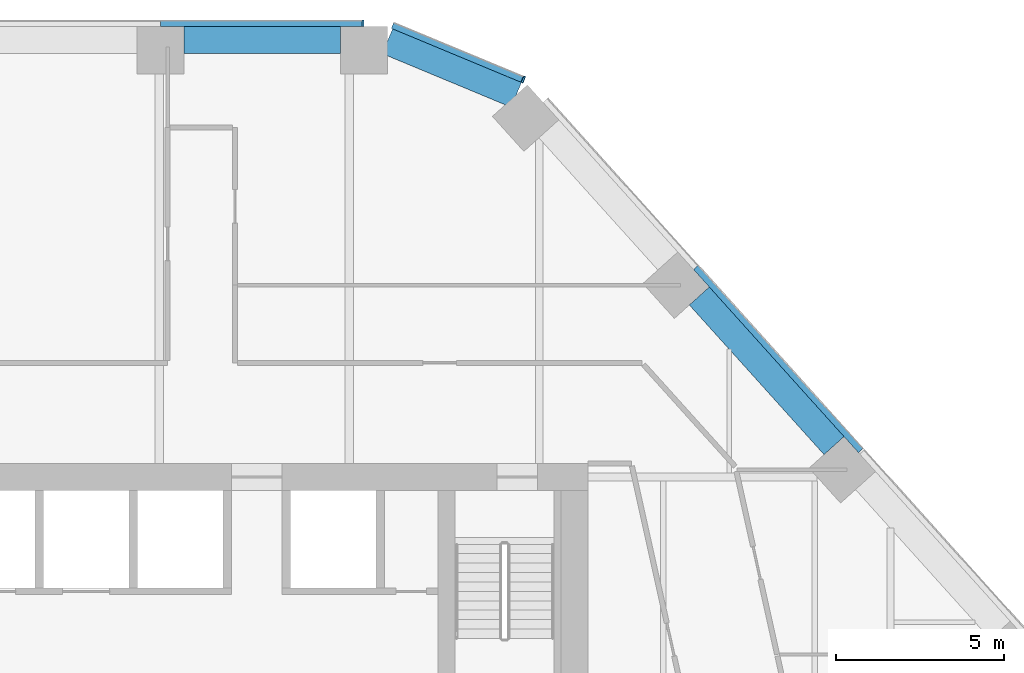
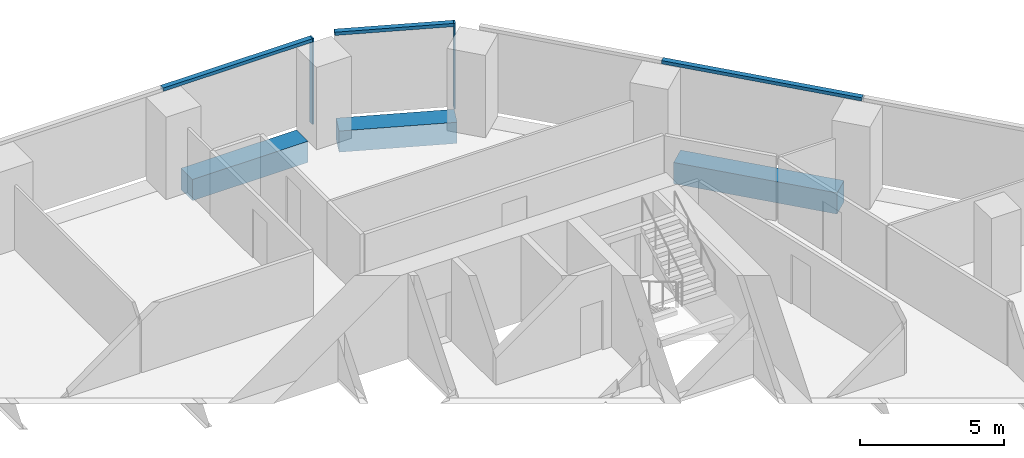
# One storey, part 9 of 16: 5 members, 3 beams, 3 elements without a shape of their own.
"""IFC4 building model written with IfcOpenShell, lengths in metres."""

from ifc_helpers import new_model, si_unit, direction, frame, origin, origin_2d, place, context, subcontext, project, spatial, rectangle, extrude, material, layer, layer_set, material_profile, profile_set, type_object, element, aggregate, save


model = new_model("IFC4")

# Units and contexts
model_context = context("Model", 3, precision=1e-05, world=origin(), true_north=direction((0.0, 1.0)))
body_context = subcontext(model_context, "Body", "Model", "MODEL_VIEW")
ifc_project = project(units=[si_unit("LENGTHUNIT", "METRE"), si_unit("AREAUNIT", "SQUARE_METRE"), si_unit("VOLUMEUNIT", "CUBIC_METRE"), si_unit("PLANEANGLEUNIT", "RADIAN"), si_unit("MASSUNIT", "GRAM", prefix="KILO")], contexts=[model_context])

# Site, building, storey
site_placement = place(None, origin())
site = spatial("IfcSite", under=ifc_project, at=site_placement, CompositionType="ELEMENT")
building_placement = place(site_placement, origin())
building = spatial("IfcBuilding", under=site, at=building_placement, Name="Isthmus Gate Tower", CompositionType="ELEMENT")
storey_placement = place(building_placement, frame((0.0, 0.0, 140.75)))
storey = spatial("IfcBuildingStorey", under=building, at=storey_placement, Name="L34", CompositionType="ELEMENT", Elevation=140.75)

# Curtain wall, member
ifc_material_1 = material(Name="Aluminium, pale champagne anodised", Category="aluminium")
ifc_layer = layer(ifc_material_1, 0.199951171875)
ifc_layer_set = layer_set([ifc_layer], Name="CW-1 UNITISED CURTAIN WALL 200 DEEP")
curtain_wall_type = type_object("IfcCurtainWallType", Name="CW-1 UNITISED CURTAIN WALL 200 DEEP", PredefinedType="NOTDEFINED", material=ifc_layer_set)
curtain_wall_1_placement = place(storey_placement, origin())
curtain_wall_1 = element("IfcCurtainWall", 1, at=curtain_wall_1_placement, inside=storey, type_object=curtain_wall_type, Name="CW-1 N L34", PredefinedType="NOTDEFINED")
ifc_material_2 = material(Name="Aluminium, pale champagne anodised", Category="aluminium")
ifc_material_profile_1 = material_profile(ifc_material_2, rectangle(XDim=0.06005859375, YDim=0.199951171875, at=origin_2d()), Name="60x200")
ifc_profile_set_1 = profile_set([ifc_material_profile_1], Name="Aluminium, pale champagne anodised")
member_type_1 = type_object("IfcMemberType", Name="CW-1 MULLION 60 X 200", PredefinedType="MULLION", material=ifc_profile_set_1)
member_1_placement = place(storey_placement, frame((8.30859375, 28.10009765625, 0.0), z_axis=(0.0, 0.0, 1.0), x_axis=(-1.0, 0.0, 0.0)))
member_1 = element("IfcMember", 2, at=member_1_placement, type_object=member_type_1, Name="CW-1 mullion", PredefinedType="MULLION", context=body_context, shape_type="SweptSolid", body=[
    extrude(rectangle(XDim=0.06005859375, YDim=0.199951171875, at=origin_2d()), origin(), (0.0, 0.0, 1.0), 3.64990234375),
])

curtain_wall_2_placement = place(storey_placement, origin())
curtain_wall_2 = element("IfcCurtainWall", 3, at=curtain_wall_2_placement, inside=storey, type_object=curtain_wall_type, Name="CW-1 NE-N L34", PredefinedType="NOTDEFINED")
member_2_placement = place(storey_placement, frame((13.080810546875, 26.427490234375, 0.0), z_axis=(0.0, 0.0, 1.0), x_axis=(-0.923353128387, 0.383951820282, 0.0)))
member_2 = element("IfcMember", 4, at=member_2_placement, type_object=member_type_1, Name="CW-1 mullion", PredefinedType="MULLION", context=body_context, shape_type="SweptSolid", body=[
    extrude(rectangle(XDim=0.06005859375, YDim=0.199951171875, at=origin_2d()), origin(), (0.0, 0.0, 1.0), 3.64990234375),
])

# Member
ifc_material_3 = material(Name="Aluminium, pale champagne anodised", Category="aluminium")
ifc_material_profile_2 = material_profile(ifc_material_3, rectangle(XDim=0.199951171875, YDim=0.139892578125, at=origin_2d()), Name="200x140")
ifc_profile_set_2 = profile_set([ifc_material_profile_2], Name="Aluminium, pale champagne anodised")
member_type_2 = type_object("IfcMemberType", Name="CW-1 TRANSOM 200 X 140", PredefinedType="USERDEFINED", material=ifc_profile_set_2)
member_3_placement = place(storey_placement, frame((8.278564453125, 28.10009765625, 3.580078125), z_axis=(-1.0, 0.0, 0.0), x_axis=(0.0, -1.0, 0.0)))
member_3 = element("IfcMember", 5, at=member_3_placement, type_object=member_type_2, Name="CW-1 transom", ObjectType="TRANSOM", PredefinedType="USERDEFINED", context=body_context, shape_type="SweptSolid", body=[
    extrude(rectangle(XDim=0.199951171875, YDim=0.139892578125, at=origin_2d()), origin(), (0.0, 0.0, 1.0), 5.990234375),
])

aggregate(curtain_wall_1, [member_1, member_3])

# Curtain wall, member
curtain_wall_3_placement = place(storey_placement, origin())
curtain_wall_3 = element("IfcCurtainWall", 6, at=curtain_wall_3_placement, inside=storey, type_object=curtain_wall_type, Name="CW-1 NE L34", PredefinedType="NOTDEFINED")
member_4_placement = place(storey_placement, frame((23.126708984375, 15.3955078125, 3.580078125), z_axis=(-0.669137671884, 0.743138463589, 0.0), x_axis=(-0.743138463589, -0.669137671884, 0.0)))
member_4 = element("IfcMember", 7, at=member_4_placement, type_object=member_type_2, Name="CW-1 transom", ObjectType="TRANSOM", PredefinedType="USERDEFINED", context=body_context, shape_type="SweptSolid", body=[
    extrude(rectangle(XDim=0.199951171875, YDim=0.139892578125, at=origin_2d()), origin(), (0.0, 0.0, 1.0), 7.330810546875),
])
aggregate(curtain_wall_3, [member_4])

# Member
member_5_placement = place(storey_placement, frame((13.05322265625, 26.43896484375, 3.580078125), z_axis=(-0.923358236369, 0.383939536033, 0.0), x_axis=(-0.383939536033, -0.923358236369, 0.0)))
member_5 = element("IfcMember", 8, at=member_5_placement, type_object=member_type_2, Name="CW-1 transom", ObjectType="TRANSOM", PredefinedType="USERDEFINED", context=body_context, shape_type="SweptSolid", body=[
    extrude(rectangle(XDim=0.199951171875, YDim=0.139892578125, at=origin_2d()), origin(), (0.0, 0.0, 1.0), 4.181640625),
])

aggregate(curtain_wall_2, [member_2, member_5])

# Beams
ifc_material_4 = material(Name="Concrete f'c 60 MPa", Category="concrete")
ifc_material_profile_3 = material_profile(ifc_material_4, rectangle(XDim=0.800048828125, YDim=0.89990234375, at=origin_2d()), Name="RC 800X900")
ifc_profile_set_3 = profile_set([ifc_material_profile_3], Name="Concrete f'c 60 MPa")
beam_type = type_object("IfcBeamType", Name="RC SPANDREL 800 X 900", PredefinedType="SPANDREL", material=ifc_profile_set_3)
beam_1_placement = place(storey_placement, frame((9.03857421875, 27.56689453125, -0.449951171875), z_axis=(0.923342835736, -0.383976571805, 0.0), x_axis=(0.383976571805, 0.923342835736, 0.0)))
element("IfcBeam", 9, at=beam_1_placement, inside=storey, type_object=beam_type, Name="str-spandrel-L34-00", PredefinedType="SPANDREL", context=body_context, shape_type="SweptSolid", body=[
    extrude(rectangle(XDim=0.800048828125, YDim=0.89990234375, at=origin_2d()), origin(), (0.0, 0.0, 1.0), 4.152587890625),
])
beam_2_placement = place(storey_placement, frame((18.318359375, 19.988525390625, -0.449951171875), z_axis=(0.669133582923, -0.743142145356, 0.0), x_axis=(0.743142145356, 0.669133582923, 0.0)))
element("IfcBeam", 10, at=beam_2_placement, inside=storey, type_object=beam_type, Name="str-spandrel-L34-02", PredefinedType="SPANDREL", context=body_context, shape_type="SweptSolid", body=[
    extrude(rectangle(XDim=0.800048828125, YDim=0.89990234375, at=origin_2d()), origin(), (0.0, 0.0, 1.0), 5.99072265625),
])
beam_3_placement = place(storey_placement, frame((2.988525390625, 27.60009765625, -0.449951171875), z_axis=(1.0, 0.0, 0.0), x_axis=(0.0, 1.0, 0.0)))
element("IfcBeam", 11, at=beam_3_placement, inside=storey, type_object=beam_type, Name="str-spandrel-L34-29", PredefinedType="SPANDREL", context=body_context, shape_type="SweptSolid", body=[
    extrude(rectangle(XDim=0.800048828125, YDim=0.89990234375, at=origin_2d()), origin(), (0.0, 0.0, 1.0), 4.650146484375),
])

save(model, "model.ifc")
